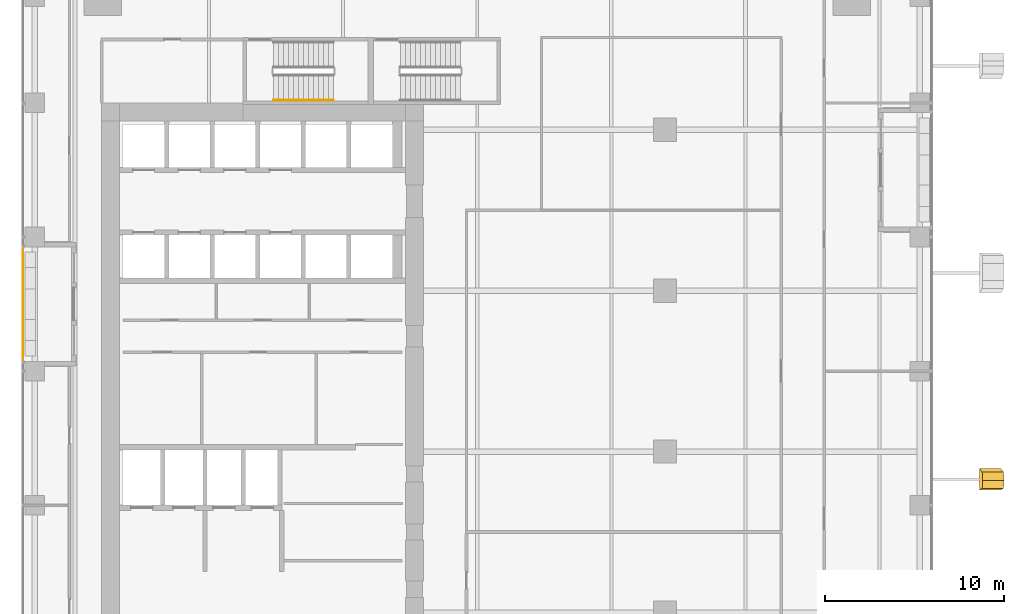
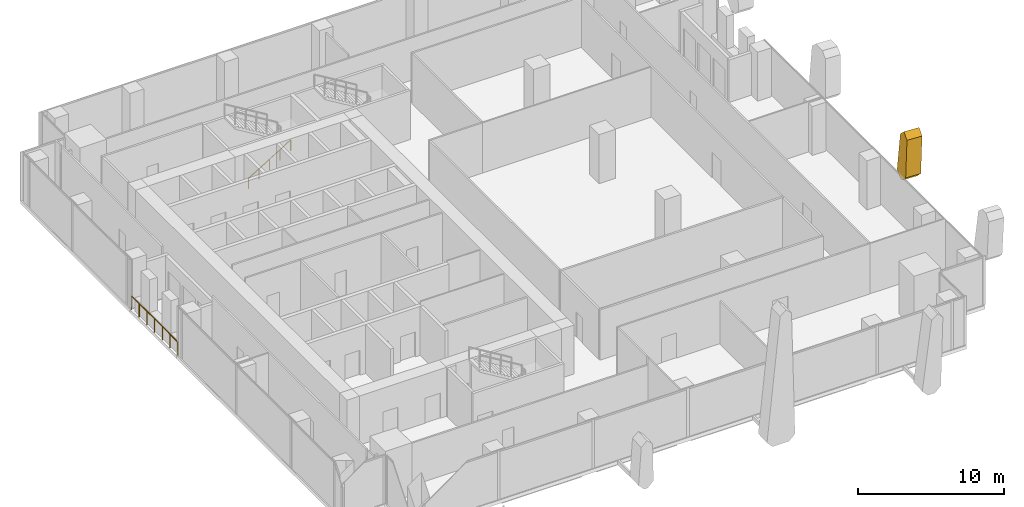
# One storey, part 33 of 35: 2 railings, 1 covering.
"""IFC4 building model written with IfcOpenShell, lengths in metres."""

from ifc_helpers import new_model, si_unit, direction, frame, origin, origin_2d, place, context, subcontext, project, spatial, polyline, circle, outline, extrude, source, transform, mapped, material, layer, layer_set, type_object, element, save


model = new_model("IFC4")

# Units and contexts
model_context = context("Model", 3, precision=1e-05, world=origin(), true_north=direction((0.0, 1.0)))
body_context = subcontext(model_context, "Body", "Model", "MODEL_VIEW")
ifc_project = project(units=[si_unit("LENGTHUNIT", "METRE"), si_unit("AREAUNIT", "SQUARE_METRE"), si_unit("VOLUMEUNIT", "CUBIC_METRE"), si_unit("PLANEANGLEUNIT", "RADIAN"), si_unit("MASSUNIT", "GRAM", prefix="KILO")], contexts=[model_context])

# Site, building, storey
site_placement = place(None, origin())
site = spatial("IfcSite", under=ifc_project, at=site_placement, CompositionType="ELEMENT")
building_placement = place(site_placement, origin())
building = spatial("IfcBuilding", under=site, at=building_placement, Name="Khomas Fold Tower", CompositionType="ELEMENT")
storey_placement = place(building_placement, frame((0.0, 0.0, 136.699951171875)))
storey = spatial("IfcBuildingStorey", under=building, at=storey_placement, Name="L29", CompositionType="ELEMENT", Elevation=136.699951171875)

# Covering
ifc_material_1 = material(Name="Natural stone cladding", Category="masonry")
ifc_layer = layer(ifc_material_1, 1.199951171875)
ifc_layer_set = layer_set([ifc_layer], Name="Natural stone cladding")
covering_type = type_object("IfcCoveringType", Name="SK-Karibib marble stone panel", PredefinedType="CLADDING", material=ifc_layer_set)
covering_placement = place(storey_placement, frame((55.23828125, 21.350341796875, 3.5283203125), z_axis=(-0.998875169488, -0.000111799868, 0.047417120119), x_axis=(-0.047330294954, 0.062884708348, -0.996897866702)))
element("IfcCovering", 1, at=covering_placement, inside=storey, type_object=covering_type, Name="OUTER SKIN leaf L29 ES06-2", PredefinedType="CLADDING", context=body_context, shape_type="SweptSolid", body=[
    extrude(outline(polyline([(0.0, 0.0), (3.0592939858229524, -2.7755575615628914e-17), (3.509166192247566, 0.4782111668497312), (3.4915566315846864, 0.7576862274569777), (3.003216119884644, 1.1775150438806963), (-0.03975567295959996, 0.9145933510909042), (-0.4505327036358277, 0.43786703827905926), (0.0, 0.0)])), origin(), (0.0, 0.0, -1.0), 1.199951171875),
])

# Railings
ifc_material_2 = material(Name="Powder-coated steel", Category="steel")
railing_type_1 = type_object("IfcRailingType", Name="Balcony guard", PredefinedType="GUARDRAIL", material=ifc_material_2)
shared_shape_1 = source(origin(), body_context, "Body", "SweptSolid", [
    extrude(circle(Radius=0.02490234375, at=origin_2d()), frame((0.0, 0.0, 1.125), z_axis=(0.0, 1.0, 0.0), x_axis=(-1.0, 0.0, 0.0)), (0.0, 0.0, 1.0), 6.33984375),
    extrude(circle(Radius=0.02001953125, at=origin_2d()), origin(), (0.0, 0.0, 1.0), 1.099853515625),
    extrude(circle(Radius=0.02001953125, at=origin_2d()), frame((0.0, 1.056640625, 0.0)), (0.0, 0.0, 1.0), 1.099853515625),
    extrude(circle(Radius=0.02001953125, at=origin_2d()), frame((0.0, 2.11328125, 0.0)), (0.0, 0.0, 1.0), 1.099853515625),
    extrude(circle(Radius=0.02001953125, at=origin_2d()), frame((0.0, 3.169921875, 0.0)), (0.0, 0.0, 1.0), 1.099853515625),
    extrude(circle(Radius=0.02001953125, at=origin_2d()), frame((0.0, 4.2265625, 0.0)), (0.0, 0.0, 1.0), 1.099853515625),
    extrude(circle(Radius=0.02001953125, at=origin_2d()), frame((0.0, 5.283203125, 0.0)), (0.0, 0.0, 1.0), 1.099853515625),
    extrude(circle(Radius=0.02001953125, at=origin_2d()), frame((0.0, 6.33984375, 0.0)), (0.0, 0.0, 1.0), 1.099853515625),
])
railing_1_placement = place(storey_placement, frame((1.60009765625, 27.580078125, -0.044921875)))
element("IfcRailing", 2, at=railing_1_placement, inside=storey, type_object=railing_type_1, Name="Balcony guard BAL-L29-W3", PredefinedType="GUARDRAIL", context=body_context, shape_type="MappedRepresentation", body=[
    mapped(shared_shape_1, transform((0.0, 0.0, 0.0))),
])
ifc_material_3 = material(Name="Steel handrail", Category="steel")
railing_type_2 = type_object("IfcRailingType", Name="Stair handrail", PredefinedType="HANDRAIL", material=ifc_material_3)
shared_shape_2 = source(origin(), body_context, "Body", "SweptSolid", [
    extrude(circle(Radius=0.02392578125, at=origin_2d()), frame((0.0, 0.0, 0.8759765625), z_axis=(0.855820338506, 0.0, 0.51727318527), x_axis=(0.0, 1.0, 0.0)), (0.0, 0.0, 1.0), 3.92578125),
    extrude(circle(Radius=0.02099609375, at=origin_2d()), origin(), (0.0, 0.0, 1.0), 0.851806640625),
    extrude(circle(Radius=0.02099609375, at=origin_2d()), frame((0.83984375, 0.0, 0.5078125)), (0.0, 0.0, 1.0), 0.851806640625),
    extrude(circle(Radius=0.02099609375, at=origin_2d()), frame((1.679931640625, 0.0, 1.015380859375)), (0.0, 0.0, 1.0), 0.851806640625),
    extrude(circle(Radius=0.02099609375, at=origin_2d()), frame((2.52001953125, 0.0, 1.52294921875)), (0.0, 0.0, 1.0), 0.851806640625),
    extrude(circle(Radius=0.02099609375, at=origin_2d()), frame((3.35986328125, 0.0, 2.03076171875)), (0.0, 0.0, 1.0), 0.851806640625),
])
railing_2_placement = place(storey_placement, frame((15.60009765625, 42.14990234375, 0.169189453125)))
element("IfcRailing", 3, at=railing_2_placement, inside=storey, type_object=railing_type_2, Name="L29 ST1 stair handrail 1", PredefinedType="HANDRAIL", context=body_context, shape_type="MappedRepresentation", body=[
    mapped(shared_shape_2, transform((0.0, 0.0, 0.0))),
])

save(model, "model.ifc")
